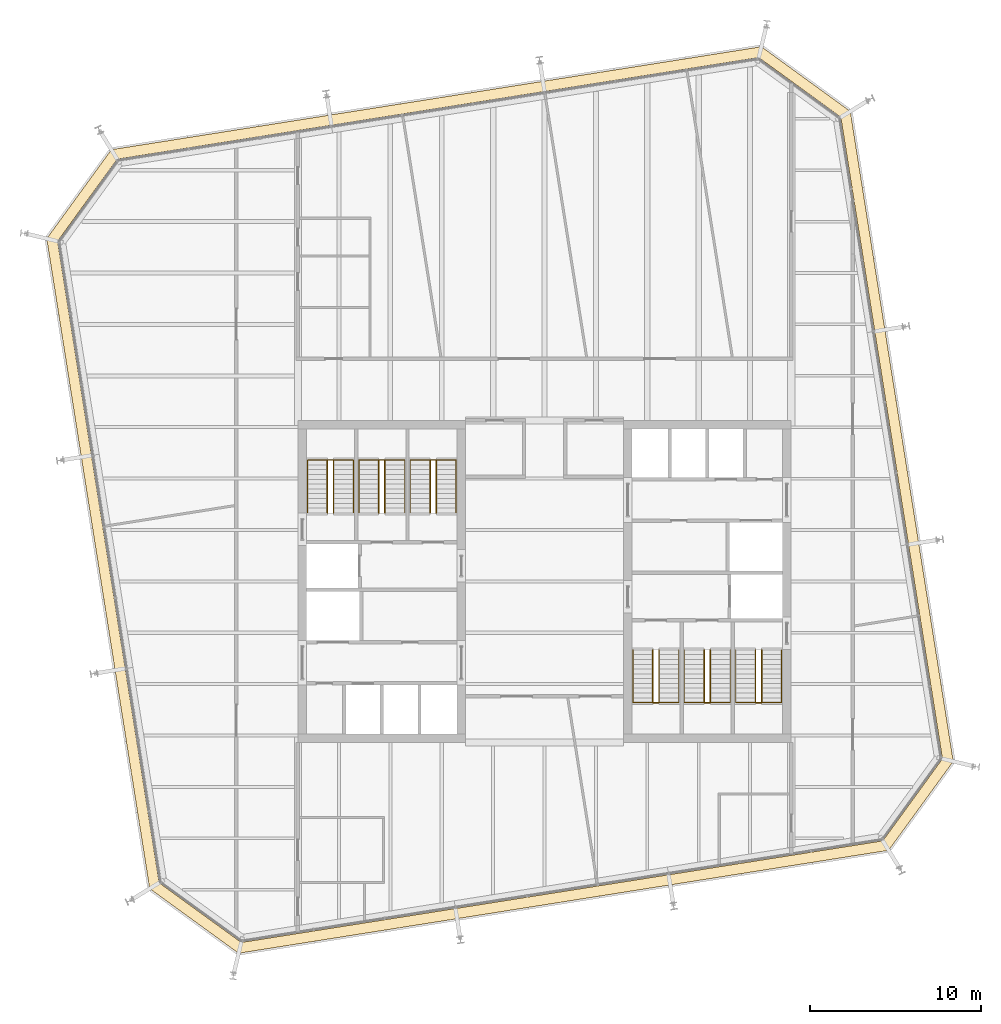
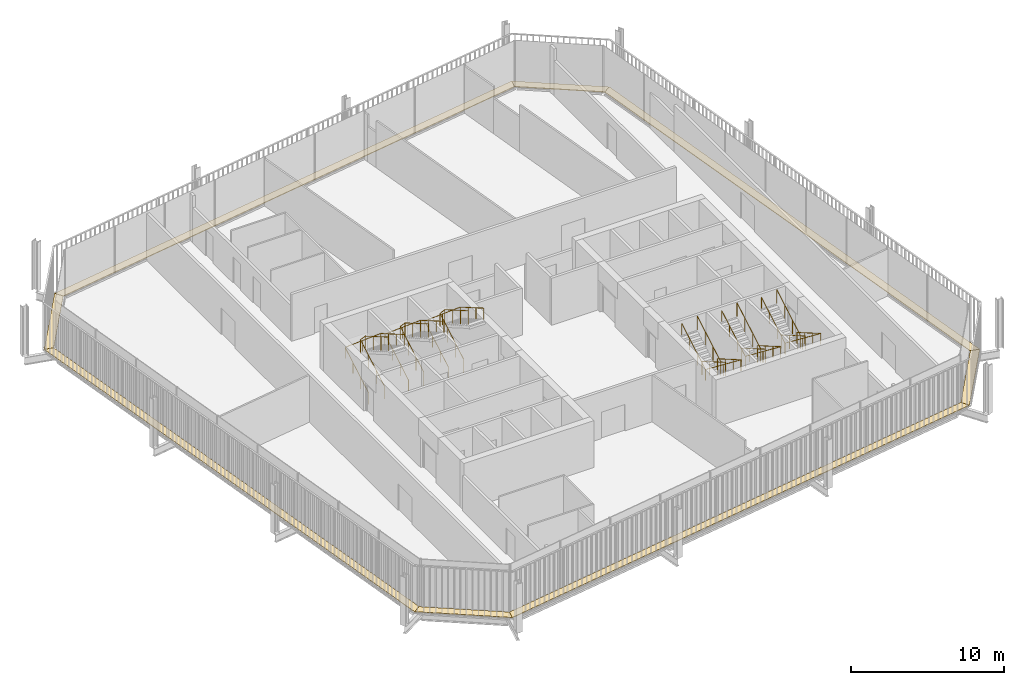
# One storey, part 20 of 20: 12 railings, 8 coverings.
"""IFC4 building model written with IfcOpenShell, lengths in metres."""

from ifc_helpers import new_model, si_unit, direction, frame, origin, origin_2d, place, context, subcontext, project, spatial, polyline, circle, outline, extrude, material, layer, layer_set, type_object, element, save


model = new_model("IFC4")

# Units and contexts
model_context = context("Model", 3, precision=1e-05, world=origin(), true_north=direction((0.0, 1.0)))
body_context = subcontext(model_context, "Body", "Model", "MODEL_VIEW")
ifc_project = project(units=[si_unit("LENGTHUNIT", "METRE"), si_unit("AREAUNIT", "SQUARE_METRE"), si_unit("VOLUMEUNIT", "CUBIC_METRE"), si_unit("PLANEANGLEUNIT", "RADIAN"), si_unit("MASSUNIT", "GRAM", prefix="KILO")], contexts=[model_context])

# Site, building, storey
site_placement = place(None, origin())
site = spatial("IfcSite", under=ifc_project, at=site_placement, CompositionType="ELEMENT")
building_placement = place(site_placement, origin())
building = spatial("IfcBuilding", under=site, at=building_placement, Name="Millrace Tower", CompositionType="ELEMENT")
storey_placement = place(building_placement, frame((0.0, 0.0, 224.199951171875)))
storey = spatial("IfcBuildingStorey", under=building, at=storey_placement, Name="L51", CompositionType="ELEMENT", Elevation=224.199951171875)

# Coverings
ifc_material_1 = material(Name="Steel ASTM A36", Category="steel")
ifc_layer = layer(ifc_material_1, 0.050048828125)
ifc_layer_set = layer_set([ifc_layer], Name="Steel ASTM A36")
covering_type = type_object("IfcCoveringType", Name="CAVITY CATWALK steel grating", PredefinedType="FLOORING", material=ifc_layer_set)
placement = place(storey_placement, frame((0.0, 0.0, 0.10009765625)))
element("IfcCovering", 1, at=placement, inside=storey, type_object=covering_type, Name="Cavity catwalk grating D-F01 L51 1", PredefinedType="FLOORING", context=body_context, shape_type="SweptSolid", body=[
    extrude(outline(polyline([(-23.052490234375, -17.939453125), (-17.85888671875, -21.712890625), (-17.707275390625, -21.081298828125), (-22.49853515625, -17.60009765625), (-23.052490234375, -17.939453125)])), origin(), (0.0, 0.0, 1.0), 0.050048828125),
])
element("IfcCovering", 2, at=placement, inside=storey, type_object=covering_type, Name="Cavity catwalk grating D-F02 L51 1", PredefinedType="FLOORING", context=body_context, shape_type="SweptSolid", body=[
    extrude(outline(polyline([(-17.85888671875, -21.712890625), (20.08935546875, -15.702392578125), (19.750244140625, -15.148681640625), (-17.707275390625, -21.081298828125), (-17.85888671875, -21.712890625)])), origin(), (0.0, 0.0, 1.0), 0.050048828125),
])
element("IfcCovering", 3, at=placement, inside=storey, type_object=covering_type, Name="Cavity catwalk grating D-F03 L51 1", PredefinedType="FLOORING", context=body_context, shape_type="SweptSolid", body=[
    extrude(outline(polyline([(20.08935546875, -15.702392578125), (23.86279296875, -10.5087890625), (23.231201171875, -10.357177734375), (19.750244140625, -15.148681640625), (20.08935546875, -15.702392578125)])), origin(), (0.0, 0.0, 1.0), 0.050048828125),
])
element("IfcCovering", 4, at=placement, inside=storey, type_object=covering_type, Name="Cavity catwalk grating D-F04 L51 1", PredefinedType="FLOORING", context=body_context, shape_type="SweptSolid", body=[
    extrude(outline(polyline([(23.86279296875, -10.5087890625), (17.852294921875, 27.439453125), (17.298583984375, 27.10009765625), (23.231201171875, -10.357177734375), (23.86279296875, -10.5087890625)])), origin(), (0.0, 0.0, 1.0), 0.050048828125),
])
element("IfcCovering", 5, at=placement, inside=storey, type_object=covering_type, Name="Cavity catwalk grating D-F05 L51 1", PredefinedType="FLOORING", context=body_context, shape_type="SweptSolid", body=[
    extrude(outline(polyline([(17.852294921875, 27.439453125), (12.658935546875, 31.212890625), (12.50732421875, 30.581298828125), (17.298583984375, 27.10009765625), (17.852294921875, 27.439453125)])), origin(), (0.0, 0.0, 1.0), 0.050048828125),
])
element("IfcCovering", 6, at=placement, inside=storey, type_object=covering_type, Name="Cavity catwalk grating D-F06 L51 1", PredefinedType="FLOORING", context=body_context, shape_type="SweptSolid", body=[
    extrude(outline(polyline([(12.658935546875, 31.212890625), (-25.28955078125, 25.202392578125), (-24.9501953125, 24.648681640625), (12.50732421875, 30.581298828125), (12.658935546875, 31.212890625)])), origin(), (0.0, 0.0, 1.0), 0.050048828125),
])
element("IfcCovering", 7, at=placement, inside=storey, type_object=covering_type, Name="Cavity catwalk grating D-F07 L51 1", PredefinedType="FLOORING", context=body_context, shape_type="SweptSolid", body=[
    extrude(outline(polyline([(-25.28955078125, 25.202392578125), (-29.062744140625, 20.0087890625), (-28.431396484375, 19.857177734375), (-24.9501953125, 24.648681640625), (-25.28955078125, 25.202392578125)])), origin(), (0.0, 0.0, 1.0), 0.050048828125),
])
element("IfcCovering", 8, at=placement, inside=storey, type_object=covering_type, Name="Cavity catwalk grating D-F08 L51 1", PredefinedType="FLOORING", context=body_context, shape_type="SweptSolid", body=[
    extrude(outline(polyline([(-29.062744140625, 20.0087890625), (-23.052490234375, -17.939453125), (-22.49853515625, -17.60009765625), (-28.431396484375, 19.857177734375), (-29.062744140625, 20.0087890625)])), origin(), (0.0, 0.0, 1.0), 0.050048828125),
])

# Railings
ifc_material_2 = material(Name="Stainless steel ASTM A240 type 316", Category="steel")
railing_type_1 = type_object("IfcRailingType", Name="Stair guard 1100", PredefinedType="GUARDRAIL", material=ifc_material_2)
for number, where, name in (
    (9, (-12.679931640625, 4.0, 0.16259765625), "Stair guard 1 W L51"),
    (10, (-9.679931640625, 4.0, 0.16259765625), "Stair guard 2 W L51"),
    (11, (-6.679931640625, 4.0, 0.16259765625), "Stair guard 3 W L51"),
):
    element("IfcRailing", number, at=place(storey_placement, frame(where)), inside=storey, type_object=railing_type_1, Name=name, PredefinedType="GUARDRAIL", context=body_context, shape_type="SweptSolid", body=[
        extrude(circle(Radius=0.02392578125, at=origin_2d()), frame((0.0, 0.0, 1.076171875), z_axis=(0.0, 0.864920483161, 0.501908913857), x_axis=(-1.0, 0.0, 0.0)), (0.0, 0.0, 1.0), 3.56103515625),
        extrude(circle(Radius=0.02392578125, at=origin_2d()), frame((0.0, 3.080078125, 2.86328125), z_axis=(0.911295775139, 0.0, 0.411752365158), x_axis=(0.0, 1.0, 0.0)), (0.0, 0.0, 1.0), 0.394775390625),
        extrude(circle(Radius=0.02392578125, at=origin_2d()), frame((0.35986328125, 3.080078125, 3.02587890625), z_axis=(0.0, -0.864890721111, 0.501960198159), x_axis=(1.0, 0.0, 0.0)), (0.0, 0.0, 1.0), 3.561279296875),
        extrude(circle(Radius=0.02099609375, at=origin_2d()), origin(), (0.0, 0.0, 1.0), 1.052001953125),
        extrude(circle(Radius=0.02099609375, at=origin_2d()), frame((0.0, 1.026611328125, 0.595703125)), (0.0, 0.0, 1.0), 1.052001953125),
        extrude(circle(Radius=0.02099609375, at=origin_2d()), frame((0.0, 2.053466796875, 1.191650390625)), (0.0, 0.0, 1.0), 1.052001953125),
        extrude(circle(Radius=0.02099609375, at=origin_2d()), frame((0.0, 3.080078125, 1.787353515625)), (0.0, 0.0, 1.0), 1.052001953125),
        extrude(circle(Radius=0.02099609375, at=origin_2d()), frame((0.35986328125, 3.080078125, 1.949951171875)), (0.0, 0.0, 1.0), 1.052001953125),
        extrude(circle(Radius=0.02099609375, at=origin_2d()), frame((0.35986328125, 2.053466796875, 2.5458984375)), (0.0, 0.0, 1.0), 1.052001953125),
        extrude(circle(Radius=0.02099609375, at=origin_2d()), frame((0.35986328125, 1.026611328125, 3.1416015625)), (0.0, 0.0, 1.0), 1.052001953125),
        extrude(circle(Radius=0.02099609375, at=origin_2d()), frame((0.35986328125, 0.0, 3.737548828125)), (0.0, 0.0, 1.0), 1.052001953125),
    ])
for number, where, name in (
    (12, (12.679931640625, -4.0, 0.16259765625), "Stair guard 1 E L51"),
    (13, (9.679931640625, -4.0, 0.16259765625), "Stair guard 2 E L51"),
    (14, (6.679931640625, -4.0, 0.16259765625), "Stair guard 3 E L51"),
):
    element("IfcRailing", number, at=place(storey_placement, frame(where)), inside=storey, type_object=railing_type_1, Name=name, PredefinedType="GUARDRAIL", context=body_context, shape_type="SweptSolid", body=[
        extrude(circle(Radius=0.02392578125, at=origin_2d()), frame((0.0, 0.0, 1.076171875), z_axis=(0.0, -0.864920483161, 0.501908913857), x_axis=(1.0, 0.0, 0.0)), (0.0, 0.0, 1.0), 3.56103515625),
        extrude(circle(Radius=0.02392578125, at=origin_2d()), frame((0.0, -3.080078125, 2.86328125), z_axis=(-0.911295775139, 0.0, 0.411752365158), x_axis=(0.0, -1.0, 0.0)), (0.0, 0.0, 1.0), 0.394775390625),
        extrude(circle(Radius=0.02392578125, at=origin_2d()), frame((-0.35986328125, -3.080078125, 3.02587890625), z_axis=(0.0, 0.864890721111, 0.501960198159), x_axis=(-1.0, 0.0, 0.0)), (0.0, 0.0, 1.0), 3.561279296875),
        extrude(circle(Radius=0.02099609375, at=origin_2d()), origin(), (0.0, 0.0, 1.0), 1.052001953125),
        extrude(circle(Radius=0.02099609375, at=origin_2d()), frame((0.0, -1.026611328125, 0.595703125)), (0.0, 0.0, 1.0), 1.052001953125),
        extrude(circle(Radius=0.02099609375, at=origin_2d()), frame((0.0, -2.053466796875, 1.191650390625)), (0.0, 0.0, 1.0), 1.052001953125),
        extrude(circle(Radius=0.02099609375, at=origin_2d()), frame((0.0, -3.080078125, 1.787353515625)), (0.0, 0.0, 1.0), 1.052001953125),
        extrude(circle(Radius=0.02099609375, at=origin_2d()), frame((-0.35986328125, -3.080078125, 1.949951171875)), (0.0, 0.0, 1.0), 1.052001953125),
        extrude(circle(Radius=0.02099609375, at=origin_2d()), frame((-0.35986328125, -2.053466796875, 2.5458984375)), (0.0, 0.0, 1.0), 1.052001953125),
        extrude(circle(Radius=0.02099609375, at=origin_2d()), frame((-0.35986328125, -1.026611328125, 3.1416015625)), (0.0, 0.0, 1.0), 1.052001953125),
        extrude(circle(Radius=0.02099609375, at=origin_2d()), frame((-0.35986328125, 0.0, 3.737548828125)), (0.0, 0.0, 1.0), 1.052001953125),
    ])
ifc_material_3 = material(Name="Stainless steel ASTM A240 type 316", Category="steel")
railing_type_2 = type_object("IfcRailingType", Name="Stair handrail 900", PredefinedType="HANDRAIL", material=ifc_material_3)
railing_1_placement = place(storey_placement, frame((-13.840087890625, 4.0, 0.16259765625)))
element("IfcRailing", 15, at=railing_1_placement, inside=storey, type_object=railing_type_2, Name="Stair handrail 1 W L51", PredefinedType="HANDRAIL", context=body_context, shape_type="SweptSolid", body=[
    extrude(circle(Radius=0.02392578125, at=origin_2d()), frame((0.0, 0.0, 0.8759765625), z_axis=(0.0, 0.864920483161, 0.501908913857), x_axis=(-1.0, 0.0, 0.0)), (0.0, 0.0, 1.0), 3.56103515625),
    extrude(circle(Radius=0.02392578125, at=origin_2d()), frame((0.0, 3.080078125, 2.6630859375), z_axis=(0.998164834547, 0.0, 0.060555454528), x_axis=(0.0, 1.0, 0.0)), (0.0, 0.0, 1.0), 2.68505859375),
    extrude(circle(Radius=0.02392578125, at=origin_2d()), frame((2.68017578125, 3.080078125, 2.82568359375), z_axis=(0.0, -0.864890721111, 0.501960198159), x_axis=(1.0, 0.0, 0.0)), (0.0, 0.0, 1.0), 3.561279296875),
    extrude(circle(Radius=0.02099609375, at=origin_2d()), origin(), (0.0, 0.0, 1.0), 0.851806640625),
    extrude(circle(Radius=0.02099609375, at=origin_2d()), frame((0.0, 1.026611328125, 0.595703125)), (0.0, 0.0, 1.0), 0.851806640625),
    extrude(circle(Radius=0.02099609375, at=origin_2d()), frame((0.0, 2.053466796875, 1.191650390625)), (0.0, 0.0, 1.0), 0.851806640625),
    extrude(circle(Radius=0.02099609375, at=origin_2d()), frame((0.0, 3.080078125, 1.787353515625)), (0.0, 0.0, 1.0), 0.851806640625),
    extrude(circle(Radius=0.02099609375, at=origin_2d()), frame((1.340087890625, 3.080078125, 1.86865234375)), (0.0, 0.0, 1.0), 0.851806640625),
    extrude(circle(Radius=0.02099609375, at=origin_2d()), frame((2.68017578125, 3.080078125, 1.949951171875)), (0.0, 0.0, 1.0), 0.851806640625),
    extrude(circle(Radius=0.02099609375, at=origin_2d()), frame((2.68017578125, 2.053466796875, 2.5458984375)), (0.0, 0.0, 1.0), 0.851806640625),
    extrude(circle(Radius=0.02099609375, at=origin_2d()), frame((2.68017578125, 1.026611328125, 3.1416015625)), (0.0, 0.0, 1.0), 0.851806640625),
    extrude(circle(Radius=0.02099609375, at=origin_2d()), frame((2.68017578125, 0.0, 3.737548828125)), (0.0, 0.0, 1.0), 0.851806640625),
])
railing_2_placement = place(storey_placement, frame((-10.840087890625, 4.0, 0.16259765625)))
element("IfcRailing", 16, at=railing_2_placement, inside=storey, type_object=railing_type_2, Name="Stair handrail 2 W L51", PredefinedType="HANDRAIL", context=body_context, shape_type="SweptSolid", body=[
    extrude(circle(Radius=0.02392578125, at=origin_2d()), frame((0.0, 0.0, 0.8759765625), z_axis=(0.0, 0.864920483161, 0.501908913857), x_axis=(-1.0, 0.0, 0.0)), (0.0, 0.0, 1.0), 3.56103515625),
    extrude(circle(Radius=0.02392578125, at=origin_2d()), frame((0.0, 3.080078125, 2.6630859375), z_axis=(0.998164834547, 0.0, 0.060555454528), x_axis=(0.0, 1.0, 0.0)), (0.0, 0.0, 1.0), 2.68505859375),
    extrude(circle(Radius=0.02392578125, at=origin_2d()), frame((2.68017578125, 3.080078125, 2.82568359375), z_axis=(0.0, -0.864890721111, 0.501960198159), x_axis=(1.0, 0.0, 0.0)), (0.0, 0.0, 1.0), 3.561279296875),
    extrude(circle(Radius=0.02099609375, at=origin_2d()), origin(), (0.0, 0.0, 1.0), 0.851806640625),
    extrude(circle(Radius=0.02099609375, at=origin_2d()), frame((0.0, 1.026611328125, 0.595703125)), (0.0, 0.0, 1.0), 0.851806640625),
    extrude(circle(Radius=0.02099609375, at=origin_2d()), frame((0.0, 2.053466796875, 1.191650390625)), (0.0, 0.0, 1.0), 0.851806640625),
    extrude(circle(Radius=0.02099609375, at=origin_2d()), frame((0.0, 3.080078125, 1.787353515625)), (0.0, 0.0, 1.0), 0.851806640625),
    extrude(circle(Radius=0.02099609375, at=origin_2d()), frame((1.340087890625, 3.080078125, 1.86865234375)), (0.0, 0.0, 1.0), 0.851806640625),
    extrude(circle(Radius=0.02099609375, at=origin_2d()), frame((2.68017578125, 3.080078125, 1.949951171875)), (0.0, 0.0, 1.0), 0.851806640625),
    extrude(circle(Radius=0.02099609375, at=origin_2d()), frame((2.68017578125, 2.053466796875, 2.5458984375)), (0.0, 0.0, 1.0), 0.851806640625),
    extrude(circle(Radius=0.02099609375, at=origin_2d()), frame((2.68017578125, 1.026611328125, 3.1416015625)), (0.0, 0.0, 1.0), 0.851806640625),
    extrude(circle(Radius=0.02099609375, at=origin_2d()), frame((2.68017578125, 0.0, 3.737548828125)), (0.0, 0.0, 1.0), 0.851806640625),
])
railing_3_placement = place(storey_placement, frame((-7.840087890625, 4.0, 0.16259765625)))
element("IfcRailing", 17, at=railing_3_placement, inside=storey, type_object=railing_type_2, Name="Stair handrail 3 W L51", PredefinedType="HANDRAIL", context=body_context, shape_type="SweptSolid", body=[
    extrude(circle(Radius=0.02392578125, at=origin_2d()), frame((0.0, 0.0, 0.8759765625), z_axis=(0.0, 0.864920483161, 0.501908913857), x_axis=(-1.0, 0.0, 0.0)), (0.0, 0.0, 1.0), 3.56103515625),
    extrude(circle(Radius=0.02392578125, at=origin_2d()), frame((0.0, 3.080078125, 2.6630859375), z_axis=(0.998164834547, 0.0, 0.060555454528), x_axis=(0.0, 1.0, 0.0)), (0.0, 0.0, 1.0), 2.68505859375),
    extrude(circle(Radius=0.02392578125, at=origin_2d()), frame((2.68017578125, 3.080078125, 2.82568359375), z_axis=(0.0, -0.864890721111, 0.501960198159), x_axis=(1.0, 0.0, 0.0)), (0.0, 0.0, 1.0), 3.561279296875),
    extrude(circle(Radius=0.02099609375, at=origin_2d()), origin(), (0.0, 0.0, 1.0), 0.851806640625),
    extrude(circle(Radius=0.02099609375, at=origin_2d()), frame((0.0, 1.026611328125, 0.595703125)), (0.0, 0.0, 1.0), 0.851806640625),
    extrude(circle(Radius=0.02099609375, at=origin_2d()), frame((0.0, 2.053466796875, 1.191650390625)), (0.0, 0.0, 1.0), 0.851806640625),
    extrude(circle(Radius=0.02099609375, at=origin_2d()), frame((0.0, 3.080078125, 1.787353515625)), (0.0, 0.0, 1.0), 0.851806640625),
    extrude(circle(Radius=0.02099609375, at=origin_2d()), frame((1.340087890625, 3.080078125, 1.86865234375)), (0.0, 0.0, 1.0), 0.851806640625),
    extrude(circle(Radius=0.02099609375, at=origin_2d()), frame((2.68017578125, 3.080078125, 1.949951171875)), (0.0, 0.0, 1.0), 0.851806640625),
    extrude(circle(Radius=0.02099609375, at=origin_2d()), frame((2.68017578125, 2.053466796875, 2.5458984375)), (0.0, 0.0, 1.0), 0.851806640625),
    extrude(circle(Radius=0.02099609375, at=origin_2d()), frame((2.68017578125, 1.026611328125, 3.1416015625)), (0.0, 0.0, 1.0), 0.851806640625),
    extrude(circle(Radius=0.02099609375, at=origin_2d()), frame((2.68017578125, 0.0, 3.737548828125)), (0.0, 0.0, 1.0), 0.851806640625),
])
railing_4_placement = place(storey_placement, frame((13.840087890625, -4.0, 0.16259765625)))
element("IfcRailing", 18, at=railing_4_placement, inside=storey, type_object=railing_type_2, Name="Stair handrail 1 E L51", PredefinedType="HANDRAIL", context=body_context, shape_type="SweptSolid", body=[
    extrude(circle(Radius=0.02392578125, at=origin_2d()), frame((0.0, 0.0, 0.8759765625), z_axis=(0.0, -0.864920483161, 0.501908913857), x_axis=(1.0, 0.0, 0.0)), (0.0, 0.0, 1.0), 3.56103515625),
    extrude(circle(Radius=0.02392578125, at=origin_2d()), frame((0.0, -3.080078125, 2.6630859375), z_axis=(-0.998164834547, 0.0, 0.060555454528), x_axis=(0.0, -1.0, 0.0)), (0.0, 0.0, 1.0), 2.68505859375),
    extrude(circle(Radius=0.02392578125, at=origin_2d()), frame((-2.68017578125, -3.080078125, 2.82568359375), z_axis=(0.0, 0.864890721111, 0.501960198159), x_axis=(-1.0, 0.0, 0.0)), (0.0, 0.0, 1.0), 3.561279296875),
    extrude(circle(Radius=0.02099609375, at=origin_2d()), origin(), (0.0, 0.0, 1.0), 0.851806640625),
    extrude(circle(Radius=0.02099609375, at=origin_2d()), frame((0.0, -1.026611328125, 0.595703125)), (0.0, 0.0, 1.0), 0.851806640625),
    extrude(circle(Radius=0.02099609375, at=origin_2d()), frame((0.0, -2.053466796875, 1.191650390625)), (0.0, 0.0, 1.0), 0.851806640625),
    extrude(circle(Radius=0.02099609375, at=origin_2d()), frame((0.0, -3.080078125, 1.787353515625)), (0.0, 0.0, 1.0), 0.851806640625),
    extrude(circle(Radius=0.02099609375, at=origin_2d()), frame((-1.340087890625, -3.080078125, 1.86865234375)), (0.0, 0.0, 1.0), 0.851806640625),
    extrude(circle(Radius=0.02099609375, at=origin_2d()), frame((-2.68017578125, -3.080078125, 1.949951171875)), (0.0, 0.0, 1.0), 0.851806640625),
    extrude(circle(Radius=0.02099609375, at=origin_2d()), frame((-2.68017578125, -2.053466796875, 2.5458984375)), (0.0, 0.0, 1.0), 0.851806640625),
    extrude(circle(Radius=0.02099609375, at=origin_2d()), frame((-2.68017578125, -1.026611328125, 3.1416015625)), (0.0, 0.0, 1.0), 0.851806640625),
    extrude(circle(Radius=0.02099609375, at=origin_2d()), frame((-2.68017578125, 0.0, 3.737548828125)), (0.0, 0.0, 1.0), 0.851806640625),
])
railing_5_placement = place(storey_placement, frame((10.840087890625, -4.0, 0.16259765625)))
element("IfcRailing", 19, at=railing_5_placement, inside=storey, type_object=railing_type_2, Name="Stair handrail 2 E L51", PredefinedType="HANDRAIL", context=body_context, shape_type="SweptSolid", body=[
    extrude(circle(Radius=0.02392578125, at=origin_2d()), frame((0.0, 0.0, 0.8759765625), z_axis=(0.0, -0.864920483161, 0.501908913857), x_axis=(1.0, 0.0, 0.0)), (0.0, 0.0, 1.0), 3.56103515625),
    extrude(circle(Radius=0.02392578125, at=origin_2d()), frame((0.0, -3.080078125, 2.6630859375), z_axis=(-0.998164834547, 0.0, 0.060555454528), x_axis=(0.0, -1.0, 0.0)), (0.0, 0.0, 1.0), 2.68505859375),
    extrude(circle(Radius=0.02392578125, at=origin_2d()), frame((-2.68017578125, -3.080078125, 2.82568359375), z_axis=(0.0, 0.864890721111, 0.501960198159), x_axis=(-1.0, 0.0, 0.0)), (0.0, 0.0, 1.0), 3.561279296875),
    extrude(circle(Radius=0.02099609375, at=origin_2d()), origin(), (0.0, 0.0, 1.0), 0.851806640625),
    extrude(circle(Radius=0.02099609375, at=origin_2d()), frame((0.0, -1.026611328125, 0.595703125)), (0.0, 0.0, 1.0), 0.851806640625),
    extrude(circle(Radius=0.02099609375, at=origin_2d()), frame((0.0, -2.053466796875, 1.191650390625)), (0.0, 0.0, 1.0), 0.851806640625),
    extrude(circle(Radius=0.02099609375, at=origin_2d()), frame((0.0, -3.080078125, 1.787353515625)), (0.0, 0.0, 1.0), 0.851806640625),
    extrude(circle(Radius=0.02099609375, at=origin_2d()), frame((-1.340087890625, -3.080078125, 1.86865234375)), (0.0, 0.0, 1.0), 0.851806640625),
    extrude(circle(Radius=0.02099609375, at=origin_2d()), frame((-2.68017578125, -3.080078125, 1.949951171875)), (0.0, 0.0, 1.0), 0.851806640625),
    extrude(circle(Radius=0.02099609375, at=origin_2d()), frame((-2.68017578125, -2.053466796875, 2.5458984375)), (0.0, 0.0, 1.0), 0.851806640625),
    extrude(circle(Radius=0.02099609375, at=origin_2d()), frame((-2.68017578125, -1.026611328125, 3.1416015625)), (0.0, 0.0, 1.0), 0.851806640625),
    extrude(circle(Radius=0.02099609375, at=origin_2d()), frame((-2.68017578125, 0.0, 3.737548828125)), (0.0, 0.0, 1.0), 0.851806640625),
])
railing_6_placement = place(storey_placement, frame((7.840087890625, -4.0, 0.16259765625)))
element("IfcRailing", 20, at=railing_6_placement, inside=storey, type_object=railing_type_2, Name="Stair handrail 3 E L51", PredefinedType="HANDRAIL", context=body_context, shape_type="SweptSolid", body=[
    extrude(circle(Radius=0.02392578125, at=origin_2d()), frame((0.0, 0.0, 0.8759765625), z_axis=(0.0, -0.864920483161, 0.501908913857), x_axis=(1.0, 0.0, 0.0)), (0.0, 0.0, 1.0), 3.56103515625),
    extrude(circle(Radius=0.02392578125, at=origin_2d()), frame((0.0, -3.080078125, 2.6630859375), z_axis=(-0.998164834547, 0.0, 0.060555454528), x_axis=(0.0, -1.0, 0.0)), (0.0, 0.0, 1.0), 2.68505859375),
    extrude(circle(Radius=0.02392578125, at=origin_2d()), frame((-2.68017578125, -3.080078125, 2.82568359375), z_axis=(0.0, 0.864890721111, 0.501960198159), x_axis=(-1.0, 0.0, 0.0)), (0.0, 0.0, 1.0), 3.561279296875),
    extrude(circle(Radius=0.02099609375, at=origin_2d()), origin(), (0.0, 0.0, 1.0), 0.851806640625),
    extrude(circle(Radius=0.02099609375, at=origin_2d()), frame((0.0, -1.026611328125, 0.595703125)), (0.0, 0.0, 1.0), 0.851806640625),
    extrude(circle(Radius=0.02099609375, at=origin_2d()), frame((0.0, -2.053466796875, 1.191650390625)), (0.0, 0.0, 1.0), 0.851806640625),
    extrude(circle(Radius=0.02099609375, at=origin_2d()), frame((0.0, -3.080078125, 1.787353515625)), (0.0, 0.0, 1.0), 0.851806640625),
    extrude(circle(Radius=0.02099609375, at=origin_2d()), frame((-1.340087890625, -3.080078125, 1.86865234375)), (0.0, 0.0, 1.0), 0.851806640625),
    extrude(circle(Radius=0.02099609375, at=origin_2d()), frame((-2.68017578125, -3.080078125, 1.949951171875)), (0.0, 0.0, 1.0), 0.851806640625),
    extrude(circle(Radius=0.02099609375, at=origin_2d()), frame((-2.68017578125, -2.053466796875, 2.5458984375)), (0.0, 0.0, 1.0), 0.851806640625),
    extrude(circle(Radius=0.02099609375, at=origin_2d()), frame((-2.68017578125, -1.026611328125, 3.1416015625)), (0.0, 0.0, 1.0), 0.851806640625),
    extrude(circle(Radius=0.02099609375, at=origin_2d()), frame((-2.68017578125, 0.0, 3.737548828125)), (0.0, 0.0, 1.0), 0.851806640625),
])

save(model, "model.ifc")
